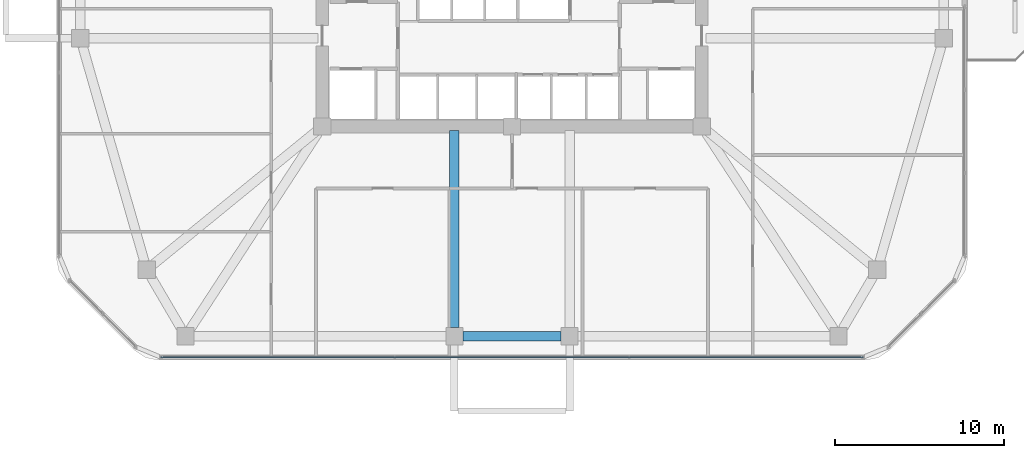
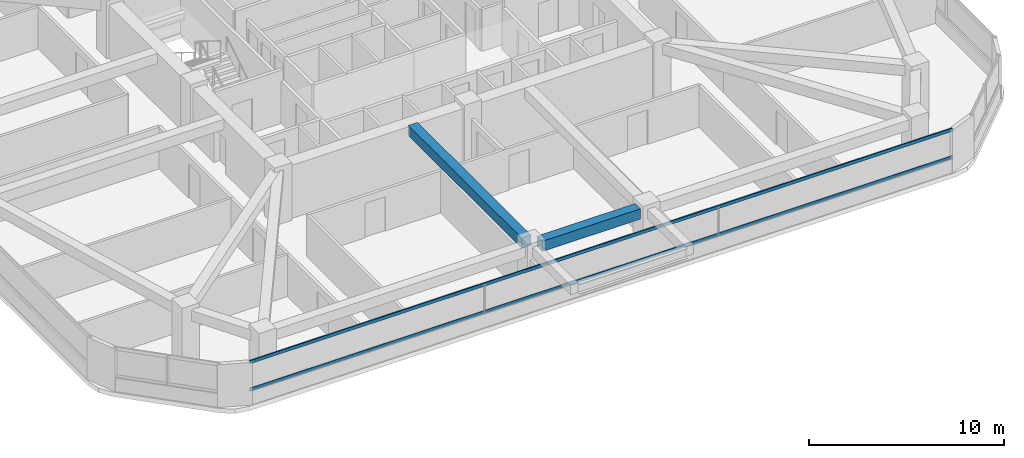
# One storey, part 3 of 14: 2 beams, 2 members, 1 element without a shape of its own.
"""IFC4 building model written with IfcOpenShell, lengths in metres."""

from ifc_helpers import new_model, si_unit, derived_unit, direction, frame, origin, origin_2d, place, context, subcontext, project, spatial, rectangle, extrude, material, material_profile, profile_set, type_object, element, aggregate, save


model = new_model("IFC4")

# Units and contexts
model_context = context("Model", 3, precision=1e-05, world=origin(), true_north=direction((0.0, 1.0)))
body_context = subcontext(model_context, "Body", "Model", "MODEL_VIEW")
ifc_project = project(units=[si_unit("LENGTHUNIT", "METRE"), si_unit("AREAUNIT", "SQUARE_METRE"), si_unit("VOLUMEUNIT", "CUBIC_METRE"), si_unit("PLANEANGLEUNIT", "RADIAN"), si_unit("MASSUNIT", "GRAM", prefix="KILO"), derived_unit("THERMALTRANSMITTANCEUNIT", [(si_unit("POWERUNIT", "WATT"), 1), (si_unit("LENGTHUNIT", "METRE"), -2), (si_unit("THERMODYNAMICTEMPERATUREUNIT", "KELVIN"), -1)])], contexts=[model_context])

# Site, building, storey
site_placement = place(None, origin())
site = spatial("IfcSite", under=ifc_project, at=site_placement, CompositionType="ELEMENT")
building_placement = place(site_placement, origin())
building = spatial("IfcBuilding", under=site, at=building_placement, Name="Koralith Skygarden Medical Center", CompositionType="ELEMENT")
storey_placement = place(building_placement, frame((0.0, 0.0, 81.179931640625)))
storey = spatial("IfcBuildingStorey", under=building, at=storey_placement, Name="L20", CompositionType="ELEMENT", Elevation=81.179931640625)

# Curtain wall, members
ifc_material_1 = material(Name="Clear Laminated Glass", Category="glass")
curtain_wall_type = type_object("IfcCurtainWallType", Name="CW-3 Zone 2 Faceted Solar Curtain Wall", PredefinedType="NOTDEFINED", material=ifc_material_1)
curtain_wall_placement = place(storey_placement, origin())
curtain_wall = element("IfcCurtainWall", 1, at=curtain_wall_placement, inside=storey, type_object=curtain_wall_type, Name="Curtain Wall CW-L20-S", PredefinedType="NOTDEFINED")
ifc_material_2 = material(Name="Aluminium 6063-T6", Category="aluminium")
ifc_material_profile_1 = material_profile(ifc_material_2, rectangle(XDim=0.069091796875, YDim=0.197998046875, at=origin_2d()), Name="TRN69X198")
ifc_profile_set_1 = profile_set([ifc_material_profile_1], Name="Aluminium 6063-T6")
member_type = type_object("IfcMemberType", Name="CW-3 Thermal Transom 69x198", PredefinedType="USERDEFINED", material=ifc_profile_set_1)
member_1_placement = place(storey_placement, frame((16.2548828125, 3.679931640625, 0.900146484375), z_axis=(1.0, 0.0, 0.0), x_axis=(0.0, 1.0, 0.0)))
member_1 = element("IfcMember", 2, at=member_1_placement, type_object=member_type, Name="CW-L20-S Transom 1", ObjectType="TRANSOM", PredefinedType="USERDEFINED", context=body_context, shape_type="SweptSolid", body=[
    extrude(rectangle(XDim=0.069091796875, YDim=0.197998046875, at=origin_2d()), origin(), (0.0, 0.0, 1.0), 41.490234375),
])
member_2_placement = place(storey_placement, frame((16.2548828125, 3.679931640625, 2.6201171875), z_axis=(1.0, 0.0, 0.0), x_axis=(0.0, 1.0, 0.0)))
member_2 = element("IfcMember", 3, at=member_2_placement, type_object=member_type, Name="CW-L20-S Transom 2", ObjectType="TRANSOM", PredefinedType="USERDEFINED", context=body_context, shape_type="SweptSolid", body=[
    extrude(rectangle(XDim=0.069091796875, YDim=0.197998046875, at=origin_2d()), origin(), (0.0, 0.0, 1.0), 41.490234375),
])
aggregate(curtain_wall, [member_1, member_2])

# Beams
ifc_material_3 = material(Name="Concrete C45/55", Category="concrete")
ifc_material_profile_2 = material_profile(ifc_material_3, rectangle(XDim=0.550048828125, YDim=0.639892578125, at=origin_2d()), Name="RCB550X640")
ifc_profile_set_2 = profile_set([ifc_material_profile_2], Name="Concrete C45/55")
beam_type_1 = type_object("IfcBeamType", Name="Radial Collector Beam RCB550X640", PredefinedType="BEAM", material=ifc_profile_set_2)
beam_1_placement = place(storey_placement, frame((33.60009765625, 17.050048828125, 3.0), z_axis=(0.0, -1.0, 0.0), x_axis=(1.0, 0.0, 0.0)))
element("IfcBeam", 4, at=beam_1_placement, inside=storey, type_object=beam_type_1, Name="L20 Radial Collector Beam RB-04", PredefinedType="BEAM", context=body_context, shape_type="SweptSolid", body=[
    extrude(rectangle(XDim=0.550048828125, YDim=0.639892578125, at=origin_2d()), origin(), (0.0, 0.0, 1.0), 11.630126953125),
])
ifc_material_profile_3 = material_profile(ifc_material_3, rectangle(XDim=0.550048828125, YDim=0.639892578125, at=origin_2d()), Name="RCB550X640")
ifc_profile_set_3 = profile_set([ifc_material_profile_3], Name="Concrete C45/55")
beam_type_2 = type_object("IfcBeamType", Name="Zone 2-3 Spandrel Beam RCB550X640", PredefinedType="SPANDREL", material=ifc_profile_set_3)
beam_2_placement = place(storey_placement, frame((34.10009765625, 4.919921875, 3.0), z_axis=(1.0, 0.0, 0.0), x_axis=(0.0, 1.0, 0.0)))
element("IfcBeam", 5, at=beam_2_placement, inside=storey, type_object=beam_type_2, Name="L20 Perimeter Spandrel Beam SP-04", PredefinedType="SPANDREL", context=body_context, shape_type="SweptSolid", body=[
    extrude(rectangle(XDim=0.550048828125, YDim=0.639892578125, at=origin_2d()), origin(), (0.0, 0.0, 1.0), 5.7998046875),
])

save(model, "model.ifc")
